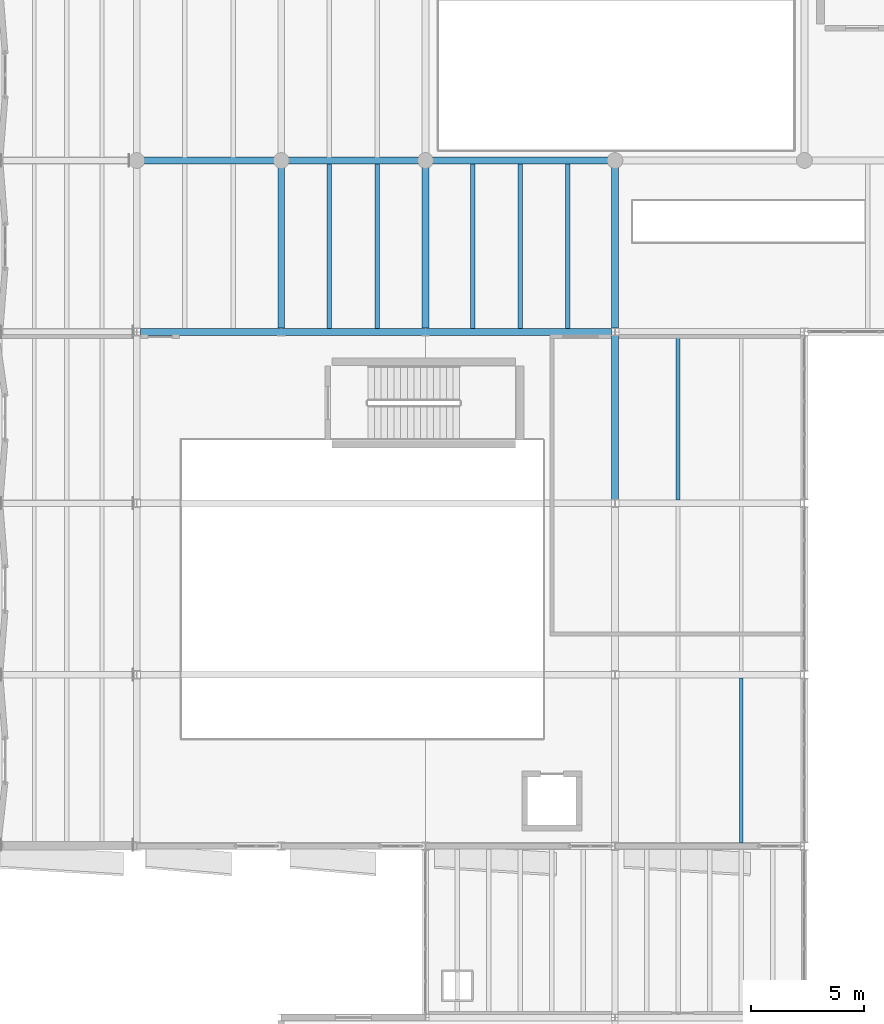
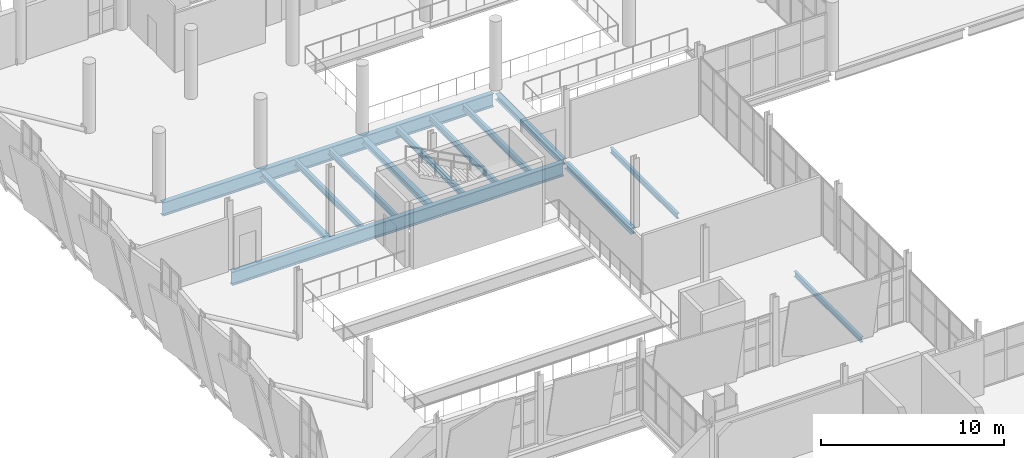
# One storey, part 26 of 136: 13 beams.
"""IFC4 building model written with IfcOpenShell, lengths in metres."""

from ifc_helpers import new_model, si_unit, direction, frame, origin, origin_2d, place, context, subcontext, project, spatial, i_section, extrude, material, material_profile, profile_set, type_object, element, save


model = new_model("IFC4")

# Units and contexts
model_context = context("Model", 3, precision=1e-05, world=origin(), true_north=direction((0.0, 1.0)))
body_context = subcontext(model_context, "Body", "Model", "MODEL_VIEW")
ifc_project = project(units=[si_unit("LENGTHUNIT", "METRE"), si_unit("AREAUNIT", "SQUARE_METRE"), si_unit("VOLUMEUNIT", "CUBIC_METRE"), si_unit("PLANEANGLEUNIT", "RADIAN"), si_unit("MASSUNIT", "GRAM", prefix="KILO")], contexts=[model_context])

# Site, building, storey
site_placement = place(None, origin())
site = spatial("IfcSite", under=ifc_project, at=site_placement, CompositionType="ELEMENT")
building_placement = place(site_placement, origin())
building = spatial("IfcBuilding", under=site, at=building_placement, Name="Shengluoqiao Park Theatre", CompositionType="ELEMENT")
storey_placement = place(building_placement, frame((0.0, 0.0, 10.0)))
storey = spatial("IfcBuildingStorey", under=building, at=storey_placement, Name="L02", CompositionType="ELEMENT", Elevation=10.0)

# Beams
ifc_material_1 = material(Name="Steel Q355", Category="steel")
ifc_material_profile_1 = material_profile(ifc_material_1, i_section(OverallWidth=0.300048828125, OverallDepth=0.389892578125, WebThickness=0.010009765625, FlangeThickness=0.01611328125, FilletRadius=0.01806640625, at=origin_2d()), Name="HM 390x300x10x16")
ifc_profile_set_1 = profile_set([ifc_material_profile_1], Name="Steel Q355")
beam_type_1 = type_object("IfcBeamType", Name="STR-BM-G-HM390", PredefinedType="BEAM", material=ifc_profile_set_1)
beam_1_placement = place(storey_placement, frame((27.60009765625, 45.76904296875, -0.43505859375), z_axis=(0.0, 1.0, 0.0), x_axis=(-1.0, 0.0, 0.0)))
element("IfcBeam", 1, at=beam_1_placement, inside=storey, type_object=beam_type_1, Name="L02 Transverse Girder 00882", PredefinedType="BEAM", context=body_context, shape_type="SweptSolid", body=[
    extrude(i_section(OverallWidth=0.300048828125, OverallDepth=0.389892578125, WebThickness=0.010009765625, FlangeThickness=0.01611328125, FilletRadius=0.01806640625, at=origin_2d()), origin(), (0.0, 0.0, 1.0), 7.261962890625),
])
for number, where, z_axis, x_axis, name in (
    (2, (12.800048828125, 53.368896484375, -0.43505859375), (0.0, 1.0, 0.0), (-1.0, 0.0, 0.0), "L02 Transverse Girder 00948"),
    (3, (19.199951171875, 53.368896484375, -0.43505859375), (0.0, 1.0, 0.0), (-1.0, 0.0, 0.0), "L02 Transverse Girder 00951"),
    (4, (27.60009765625, 53.368896484375, -0.43505859375), (0.0, 1.0, 0.0), (-1.0, 0.0, 0.0), "L02 Transverse Girder 00954"),
):
    element("IfcBeam", number, at=place(storey_placement, frame(where, z_axis=z_axis, x_axis=x_axis)), inside=storey, type_object=beam_type_1, Name=name, PredefinedType="BEAM", context=body_context, shape_type="SweptSolid", body=[
        extrude(i_section(OverallWidth=0.300048828125, OverallDepth=0.389892578125, WebThickness=0.010009765625, FlangeThickness=0.01611328125, FilletRadius=0.01806640625, at=origin_2d()), origin(), (0.0, 0.0, 1.0), 7.237060546875),
    ])
ifc_material_2 = material(Name="Steel Q390", Category="steel")
ifc_material_profile_2 = material_profile(ifc_material_2, i_section(OverallWidth=0.300048828125, OverallDepth=0.89990234375, WebThickness=0.01611328125, FlangeThickness=0.028076171875, FilletRadius=0.028076171875, at=origin_2d()), Name="HN 900x300x16x28")
ifc_profile_set_2 = profile_set([ifc_material_profile_2], Name="Steel Q390")
beam_type_2 = type_object("IfcBeamType", Name="STR-BM-G-HN900", PredefinedType="BEAM", material=ifc_profile_set_2)
beam_2_placement = place(storey_placement, frame((6.56298828125, 53.199951171875, -0.68994140625), z_axis=(1.0, 0.0, 0.0), x_axis=(0.0, 1.0, 0.0)))
element("IfcBeam", 5, at=beam_2_placement, inside=storey, type_object=beam_type_2, Name="CT-V3-4 L02 Continuous Back-Span Chord", PredefinedType="BEAM", context=body_context, shape_type="SweptSolid", body=[
    extrude(i_section(OverallWidth=0.300048828125, OverallDepth=0.89990234375, WebThickness=0.01611328125, FlangeThickness=0.028076171875, FilletRadius=0.028076171875, at=origin_2d()), origin(), (0.0, 0.0, 1.0), 20.8740234375),
])
beam_3_placement = place(storey_placement, frame((6.587890625, 60.800048828125, -0.68994140625), z_axis=(1.0, 0.0, 0.0), x_axis=(0.0, 1.0, 0.0)))
element("IfcBeam", 6, at=beam_3_placement, inside=storey, type_object=beam_type_2, Name="CT-V5-1 L02 Continuous Back-Span Chord", PredefinedType="BEAM", context=body_context, shape_type="SweptSolid", body=[
    extrude(i_section(OverallWidth=0.300048828125, OverallDepth=0.89990234375, WebThickness=0.01611328125, FlangeThickness=0.028076171875, FilletRadius=0.028076171875, at=origin_2d()), origin(), (0.0, 0.0, 1.0), 20.82421875),
])
ifc_material_profile_3 = material_profile(ifc_material_1, i_section(OverallWidth=0.175048828125, OverallDepth=0.35009765625, WebThickness=0.007080078125, FlangeThickness=0.010986328125, FilletRadius=0.013916015625, at=origin_2d()), Name="HN 350x175x7x11")
ifc_profile_set_3 = profile_set([ifc_material_profile_3], Name="Steel Q355")
beam_type_3 = type_object("IfcBeamType", Name="STR-BM-J-HN350", PredefinedType="JOIST", material=ifc_profile_set_3)
beam_4_placement = place(storey_placement, frame((33.199951171875, 30.544921875, -0.4150390625), z_axis=(0.0, 1.0, 0.0), x_axis=(-1.0, 0.0, 0.0)))
element("IfcBeam", 7, at=beam_4_placement, inside=storey, type_object=beam_type_3, Name="L02 Composite Joist 00887", PredefinedType="JOIST", context=body_context, shape_type="SweptSolid", body=[
    extrude(i_section(OverallWidth=0.175048828125, OverallDepth=0.35009765625, WebThickness=0.007080078125, FlangeThickness=0.010986328125, FilletRadius=0.013916015625, at=origin_2d()), origin(), (0.0, 0.0, 1.0), 7.31005859375),
])
beam_5_placement = place(storey_placement, frame((30.39990234375, 45.7451171875, -0.4150390625), z_axis=(0.0, 1.0, 0.0), x_axis=(-1.0, 0.0, 0.0)))
element("IfcBeam", 8, at=beam_5_placement, inside=storey, type_object=beam_type_3, Name="L02 Composite Joist 00890", PredefinedType="JOIST", context=body_context, shape_type="SweptSolid", body=[
    extrude(i_section(OverallWidth=0.175048828125, OverallDepth=0.35009765625, WebThickness=0.007080078125, FlangeThickness=0.010986328125, FilletRadius=0.013916015625, at=origin_2d()), origin(), (0.0, 0.0, 1.0), 7.309814453125),
])
ifc_material_profile_4 = material_profile(ifc_material_1, i_section(OverallWidth=0.199951171875, OverallDepth=0.39990234375, WebThickness=0.008056640625, FlangeThickness=0.012939453125, FilletRadius=0.01611328125, at=origin_2d()), Name="HN 400x200x8x13")
ifc_profile_set_4 = profile_set([ifc_material_profile_4], Name="Steel Q355")
beam_type_4 = type_object("IfcBeamType", Name="STR-BM-J-HN400", PredefinedType="JOIST", material=ifc_profile_set_4)
for number, where, z_axis, x_axis, name in (
    (9, (14.933349609375, 53.344970703125, -0.43994140625), (0.0, 1.0, 0.0), (-1.0, 0.0, 0.0), "L02 Composite Joist 00962"),
    (10, (17.066650390625, 53.344970703125, -0.43994140625), (0.0, 1.0, 0.0), (-1.0, 0.0, 0.0), "L02 Composite Joist 00963"),
    (11, (21.300048828125, 53.344970703125, -0.43994140625), (0.0, 1.0, 0.0), (-1.0, 0.0, 0.0), "L02 Composite Joist 00968"),
    (12, (23.39990234375, 53.344970703125, -0.43994140625), (0.0, 1.0, 0.0), (-1.0, 0.0, 0.0), "L02 Composite Joist 00969"),
    (13, (25.5, 53.344970703125, -0.43994140625), (0.0, 1.0, 0.0), (-1.0, 0.0, 0.0), "L02 Composite Joist 00970"),
):
    element("IfcBeam", number, at=place(storey_placement, frame(where, z_axis=z_axis, x_axis=x_axis)), inside=storey, type_object=beam_type_4, Name=name, PredefinedType="JOIST", context=body_context, shape_type="SweptSolid", body=[
        extrude(i_section(OverallWidth=0.199951171875, OverallDepth=0.39990234375, WebThickness=0.008056640625, FlangeThickness=0.012939453125, FilletRadius=0.01611328125, at=origin_2d()), origin(), (0.0, 0.0, 1.0), 7.31005859375),
    ])

save(model, "model.ifc")
